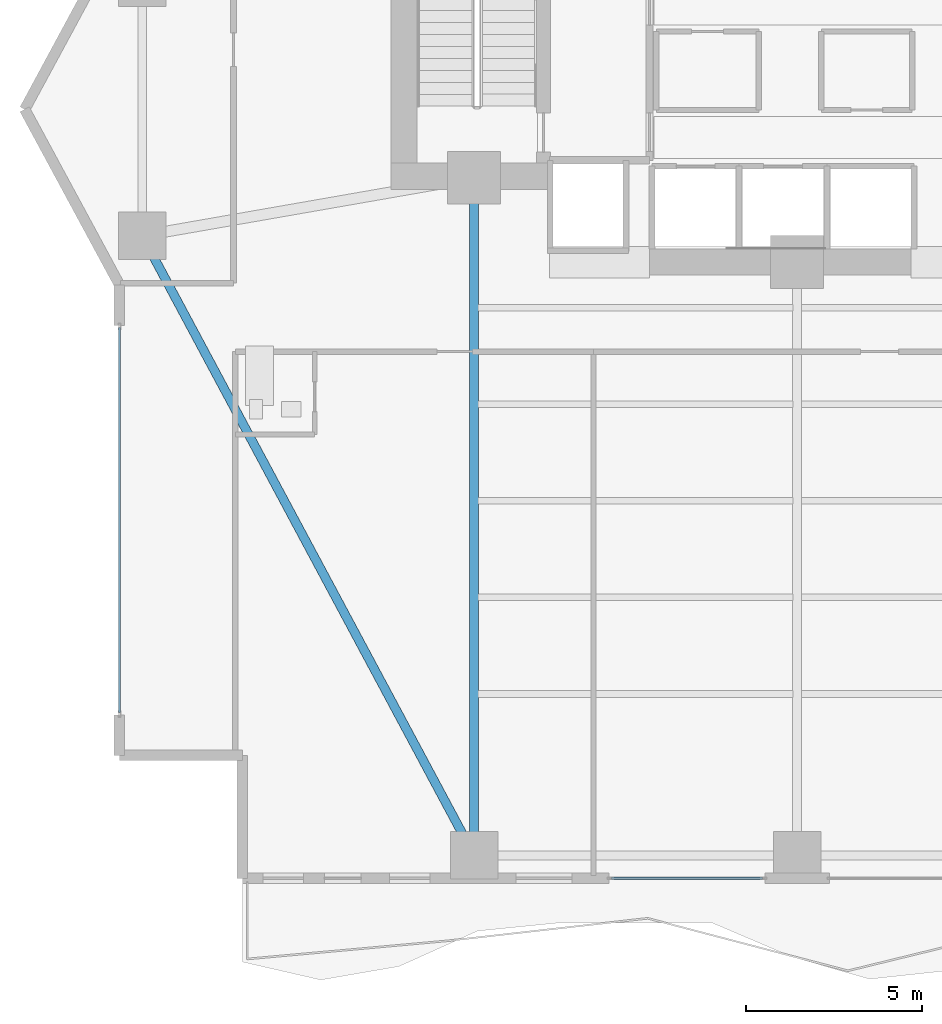
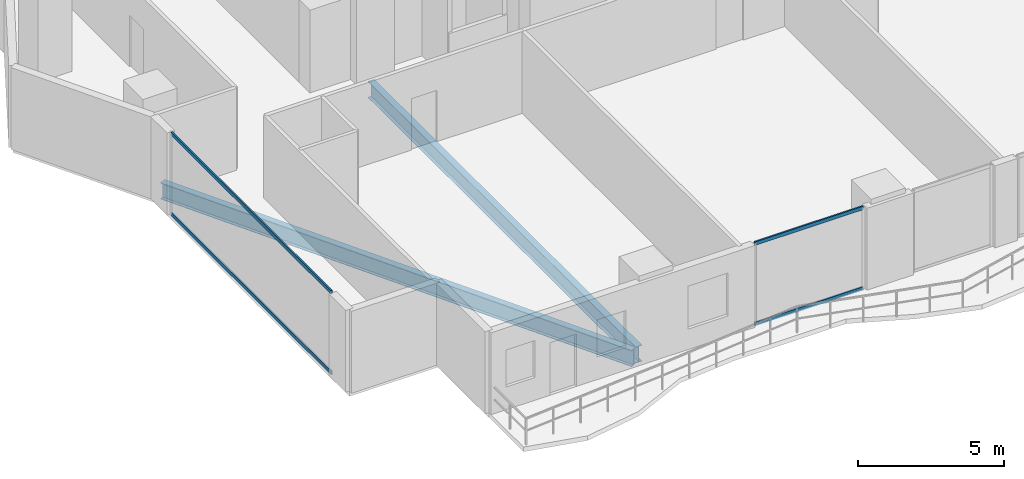
# One storey, part 3 of 29: 4 members, 2 beams, 2 elements without a shape of their own.
"""IFC4 building model written with IfcOpenShell, lengths in metres."""

from ifc_helpers import new_model, si_unit, direction, frame, origin, origin_2d, place, context, subcontext, project, spatial, hollow_rectangle, i_section, extrude, material, layer, layer_set, material_profile, profile_set, type_object, element, aggregate, save


model = new_model("IFC4")

# Units and contexts
model_context = context("Model", 3, precision=1e-05, world=origin(), true_north=direction((0.0, 1.0)))
body_context = subcontext(model_context, "Body", "Model", "MODEL_VIEW")
ifc_project = project(units=[si_unit("LENGTHUNIT", "METRE"), si_unit("AREAUNIT", "SQUARE_METRE"), si_unit("VOLUMEUNIT", "CUBIC_METRE"), si_unit("PLANEANGLEUNIT", "RADIAN"), si_unit("MASSUNIT", "GRAM", prefix="KILO")], contexts=[model_context])

# Site, building, storey
site_placement = place(None, origin())
site = spatial("IfcSite", under=ifc_project, at=site_placement, CompositionType="ELEMENT")
building_placement = place(site_placement, origin())
building = spatial("IfcBuilding", under=site, at=building_placement, Name="Zuhayl Quay Hotel", CompositionType="ELEMENT")
storey_placement = place(building_placement, frame((0.0, 0.0, 132.14990234375)))
storey = spatial("IfcBuildingStorey", under=building, at=storey_placement, Name="L33", CompositionType="ELEMENT", Elevation=132.14990234375)

# Beams
ifc_material_1 = material(Name="Steel ASTM A992 Grade 50", Category="steel")
ifc_material_profile_1 = material_profile(ifc_material_1, i_section(OverallWidth=0.25390625, OverallDepth=0.68310546875, WebThickness=0.012451171875, FlangeThickness=0.018798828125, at=origin_2d()), Name="W27X94")
ifc_profile_set_1 = profile_set([ifc_material_profile_1], Name="Steel ASTM A992 Grade 50")
beam_type = type_object("IfcBeamType", Name="BM_B2_W27X94", PredefinedType="BEAM", material=ifc_profile_set_1)
beam_1_placement = place(storey_placement, frame((-23.013916015625, 2.459228515625, -0.5615234375), z_axis=(0.472017301959, -0.88158928456, 0.0), x_axis=(0.88158928456, 0.472017301959, 0.0)))
element("IfcBeam", 1, at=beam_1_placement, inside=storey, type_object=beam_type, Name="L33 Floor Beam RG_L33_12", PredefinedType="BEAM", context=body_context, shape_type="SweptSolid", body=[
    extrude(i_section(OverallWidth=0.25390625, OverallDepth=0.68310546875, WebThickness=0.012451171875, FlangeThickness=0.018798828125, at=origin_2d()), origin(), (0.0, 0.0, 1.0), 19.0205078125),
])
beam_2_placement = place(storey_placement, frame((-13.800048828125, -14.25, -0.5615234375), z_axis=(0.0, 1.0, 0.0), x_axis=(-1.0, 0.0, 0.0)))
element("IfcBeam", 2, at=beam_2_placement, inside=storey, type_object=beam_type, Name="L33 Floor Beam FG_S_L33_1", PredefinedType="BEAM", context=body_context, shape_type="SweptSolid", body=[
    extrude(i_section(OverallWidth=0.25390625, OverallDepth=0.68310546875, WebThickness=0.012451171875, FlangeThickness=0.018798828125, at=origin_2d()), origin(), (0.0, 0.0, 1.0), 18.35009765625),
])

# Curtain wall, members
ifc_material_2 = material(Name="Anodised Aluminium 6063-T6", Category="aluminium")
ifc_layer = layer(ifc_material_2, 0.179931640625, Name="Anodised Aluminium 6063-T6", Category="aluminium")
ifc_layer_set = layer_set([ifc_layer], Name="Anodised Aluminium 6063-T6")
curtain_wall_type = type_object("IfcCurtainWallType", Name="CW_SYS_Z2", PredefinedType="USERDEFINED", material=ifc_layer_set)
curtain_wall_1_placement = place(storey_placement, origin())
curtain_wall_1 = element("IfcCurtainWall", 3, at=curtain_wall_1_placement, inside=storey, type_object=curtain_wall_type, Name="L33 Curtain Wall ENV_L33_E02_CW1", ObjectType="UNITISED CURTAIN WALL", PredefinedType="USERDEFINED")
ifc_material_3 = material(Name="Black-anodised aluminium 6063-T6", Category="aluminium")
ifc_material_profile_2 = material_profile(ifc_material_3, hollow_rectangle(XDim=0.06005859375, YDim=0.14990234375, WallThickness=0.00341796875, at=origin_2d()), Name="ALU150X60")
ifc_profile_set_2 = profile_set([ifc_material_profile_2], Name="Black-anodised aluminium 6063-T6")
member_type = type_object("IfcMemberType", Name="MB_CW_TRN_150", PredefinedType="USERDEFINED", material=ifc_profile_set_2)
member_1_placement = place(storey_placement, frame((-23.89990234375, -10.68505859375, 0.030029296875), z_axis=(0.0, 1.0, 0.0), x_axis=(-1.0, 0.0, 0.0)))
member_1 = element("IfcMember", 4, at=member_1_placement, type_object=member_type, Name="CW-Z2 transom 1.1", ObjectType="TRANSOM", PredefinedType="USERDEFINED", context=body_context, shape_type="SweptSolid", body=[
    extrude(hollow_rectangle(XDim=0.06005859375, YDim=0.14990234375, WallThickness=0.00341796875, at=origin_2d()), origin(), (0.0, 0.0, 1.0), 10.969970703125),
])
member_2_placement = place(storey_placement, frame((-23.89990234375, -10.68505859375, 3.400146484375), z_axis=(0.0, 1.0, 0.0), x_axis=(-1.0, 0.0, 0.0)))
member_2 = element("IfcMember", 5, at=member_2_placement, type_object=member_type, Name="CW-Z2 transom 1.2", ObjectType="TRANSOM", PredefinedType="USERDEFINED", context=body_context, shape_type="SweptSolid", body=[
    extrude(hollow_rectangle(XDim=0.06005859375, YDim=0.14990234375, WallThickness=0.00341796875, at=origin_2d()), origin(), (0.0, 0.0, 1.0), 10.969970703125),
])
aggregate(curtain_wall_1, [member_1, member_2])

curtain_wall_2_placement = place(storey_placement, origin())
curtain_wall_2 = element("IfcCurtainWall", 6, at=curtain_wall_2_placement, inside=storey, type_object=curtain_wall_type, Name="L33 Curtain Wall ENV_L33_S_CW5", ObjectType="UNITISED CURTAIN WALL", PredefinedType="USERDEFINED")
member_3_placement = place(storey_placement, frame((-5.5849609375, -15.39990234375, 0.030029296875), z_axis=(-1.0, 0.0, 0.0), x_axis=(0.0, -1.0, 0.0)))
member_3 = element("IfcMember", 7, at=member_3_placement, type_object=member_type, Name="CW-Z2 transom 1.1", ObjectType="TRANSOM", PredefinedType="USERDEFINED", context=body_context, shape_type="SweptSolid", body=[
    extrude(hollow_rectangle(XDim=0.06005859375, YDim=0.14990234375, WallThickness=0.00341796875, at=origin_2d()), origin(), (0.0, 0.0, 1.0), 4.300048828125),
])
member_4_placement = place(storey_placement, frame((-5.5849609375, -15.39990234375, 3.400146484375), z_axis=(-1.0, 0.0, 0.0), x_axis=(0.0, -1.0, 0.0)))
member_4 = element("IfcMember", 8, at=member_4_placement, type_object=member_type, Name="CW-Z2 transom 1.2", ObjectType="TRANSOM", PredefinedType="USERDEFINED", context=body_context, shape_type="SweptSolid", body=[
    extrude(hollow_rectangle(XDim=0.06005859375, YDim=0.14990234375, WallThickness=0.00341796875, at=origin_2d()), origin(), (0.0, 0.0, 1.0), 4.300048828125),
])
aggregate(curtain_wall_2, [member_3, member_4])

save(model, "model.ifc")
